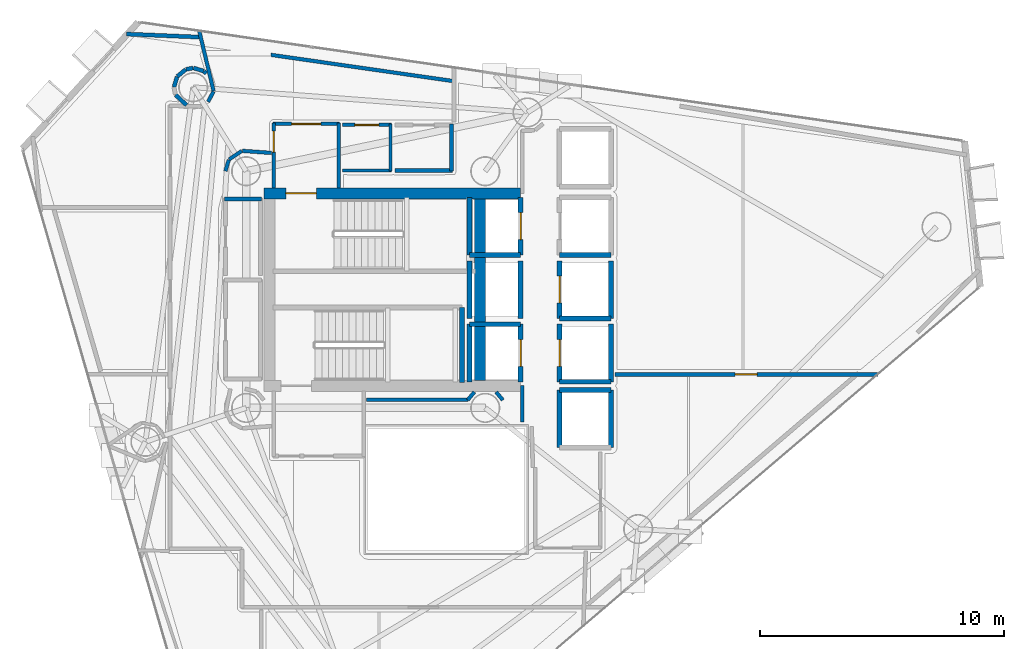
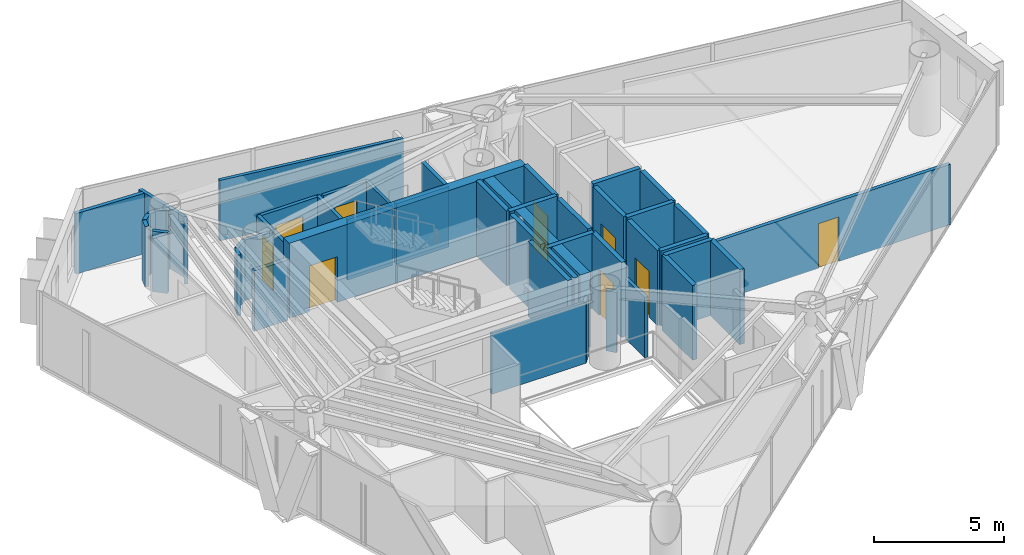
# One storey, part 19 of 23: 48 walls, 9 doors, 9 openings.
"""IFC4 building model written with IfcOpenShell, lengths in metres."""

from ifc_helpers import new_model, si_unit, direction, frame, frame_2d, origin, place, context, subcontext, project, spatial, rectangle, extrude, material, layer, layer_set, type_object, element, fill, save


model = new_model("IFC4")

# Units and contexts
model_context = context("Model", 3, precision=1e-05, world=origin(), true_north=direction((0.0, 1.0)))
body_context = subcontext(model_context, "Body", "Model", "MODEL_VIEW")
ifc_project = project(units=[si_unit("LENGTHUNIT", "METRE"), si_unit("AREAUNIT", "SQUARE_METRE"), si_unit("VOLUMEUNIT", "CUBIC_METRE"), si_unit("PLANEANGLEUNIT", "RADIAN"), si_unit("MASSUNIT", "GRAM", prefix="KILO")], contexts=[model_context])

# Site, building, storey
site_placement = place(None, origin())
site = spatial("IfcSite", under=ifc_project, at=site_placement, CompositionType="ELEMENT")
building_placement = place(site_placement, origin())
building = spatial("IfcBuilding", under=site, at=building_placement, Name="Qianvela Tower", CompositionType="ELEMENT")
storey_placement = place(building_placement, frame((0.0, 0.0, 215.10009765625)))
storey = spatial("IfcBuildingStorey", under=building, at=storey_placement, Name="L55", CompositionType="ELEMENT", Elevation=215.10009765625)

# Wall, opening, door
ifc_material_1 = material(Name="Concrete C50", Category="concrete")
ifc_layer_1 = layer(ifc_material_1, 0.449951171875)
ifc_layer_set_1 = layer_set([ifc_layer_1], Name="Concrete C50")
wall_type_1 = type_object("IfcWallType", Name="WT-CORE-450", PredefinedType="SHEAR", material=ifc_layer_set_1)
wall_1_placement = place(storey_placement, frame((29.330078125, 32.64501953125, 0.0), z_axis=(0.0, 0.0, 1.0), x_axis=(1.0, 0.0, 0.0)))
wall_1 = element("IfcWall", 1, at=wall_1_placement, inside=storey, type_object=wall_type_1, Name="L55 North Core Shear Wall", PredefinedType="SHEAR", context=body_context, shape_type="SweptSolid", body=[
    extrude(rectangle(XDim=10.52001953125, YDim=0.449951171875, at=frame_2d((5.260009765625, 0.0))), origin(), (0.0, 0.0, 1.0), 3.52001953125),
])
opening_1_placement = place(wall_1_placement, frame((0.89501953125, 0.0, 0.0)))
opening_1 = element("IfcOpeningElement", 2, at=opening_1_placement, cuts=wall_1, Name="Opening D-ST1", PredefinedType="OPENING", context=body_context, shape_type="SweptSolid", body=[
    extrude(rectangle(XDim=1.25, YDim=2.14990234375, at=frame_2d((0.625, 1.074951171875))), frame((0.0, 0.23486328125, 0.0), z_axis=(0.0, -1.0, 0.0), x_axis=(1.0, 0.0, 0.0)), (0.0, 0.0, 1.0), 0.469970703125),
])
ifc_material_2 = material(Name="Galvanised Fire Steel Q355B", Category="steel")
door_type_1 = type_object("IfcDoorType", Name="DT-STAIR-FD90", OperationType="NOTDEFINED", PredefinedType="DOOR", material=ifc_material_2)
door_1_placement = place(opening_1_placement, origin())
door_1 = element("IfcDoor", 3, at=door_1_placement, inside=storey, type_object=door_type_1, Name="L55 Stair ST-1 Exit Door", OperationType="SINGLE_SWING_RIGHT", OverallHeight=2.14990234375, OverallWidth=1.25, PredefinedType="DOOR", context=body_context, shape_type="SweptSolid", body=[
    extrude(rectangle(XDim=1.25, YDim=2.14990234375, at=frame_2d((0.625, 1.074951171875))), frame((0.0, 0.02490234375, 0.0), z_axis=(0.0, -1.0, 0.0), x_axis=(1.0, 0.0, 0.0)), (0.0, 0.0, 1.0), 0.050048828125),
])
fill(opening_1, door_1)

# Wall
wall_2_placement = place(storey_placement, frame((38.179931640625, 24.97998046875, 0.0), z_axis=(0.0, 0.0, 1.0), x_axis=(0.0, 1.0, 0.0)))
element("IfcWall", 4, at=wall_2_placement, inside=storey, type_object=wall_type_1, Name="L55 East Spine Core Shear Wall", PredefinedType="SHEAR", context=body_context, shape_type="SweptSolid", body=[
    extrude(rectangle(XDim=7.43994140625, YDim=0.449951171875, at=frame_2d((3.719970703125, 0.0))), origin(), (0.0, 0.0, 1.0), 3.52001953125),
])

# Wall, opening, door
ifc_material_3 = material(Name="Fire-Rated Acoustic Gypsum Board")
ifc_layer_2 = layer(ifc_material_3, 0.14990234375)
ifc_layer_set_2 = layer_set([ifc_layer_2], Name="Fire-Rated Acoustic Gypsum Board")
wall_type_2 = type_object("IfcWallType", Name="WT-CORR-150", PredefinedType="PARTITIONING", material=ifc_layer_set_2)
wall_3_placement = place(storey_placement, frame((29.73095703125, 32.85791015625, 0.0), z_axis=(0.0, 0.0, 1.0), x_axis=(0.0, 1.0, 0.0)))
wall_3 = element("IfcWall", 5, at=wall_3_placement, inside=storey, type_object=wall_type_2, Name="L55 Partition 2", PredefinedType="PARTITIONING", context=body_context, shape_type="SweptSolid", body=[
    extrude(rectangle(XDim=2.662109375, YDim=0.14990234375, at=frame_2d((1.3310546875, 0.0))), origin(), (0.0, 0.0, 1.0), 2.83984375),
])
opening_2_placement = place(wall_3_placement, frame((1.478271484375, 0.0, 0.0)))
opening_2 = element("IfcOpeningElement", 6, at=opening_2_placement, cuts=wall_3, Name="Opening D-LB2", PredefinedType="OPENING", context=body_context, shape_type="SweptSolid", body=[
    extrude(rectangle(XDim=0.860107421875, YDim=2.050048828125, at=frame_2d((0.43017578125, 1.02490234375))), frame((0.0, 0.0849609375, 0.0), z_axis=(0.0, -1.0, 0.0), x_axis=(1.0, 0.0, 0.0)), (0.0, 0.0, 1.0), 0.169921875),
])
ifc_material_4 = material(Name="Insulated Steel Fire Door Q355B", Category="steel")
door_type_2 = type_object("IfcDoorType", Name="DT-LOBBY-FD90-860", OperationType="NOTDEFINED", PredefinedType="DOOR", material=ifc_material_4)
door_2_placement = place(opening_2_placement, origin())
door_2 = element("IfcDoor", 7, at=door_2_placement, inside=storey, type_object=door_type_2, Name="L55 Door L55 Firefighting Lobby North to L55 Floor Corridor", OperationType="SINGLE_SWING_LEFT", OverallHeight=2.050048828125, OverallWidth=0.860107421875, PredefinedType="DOOR", context=body_context, shape_type="SweptSolid", body=[
    extrude(rectangle(XDim=0.860107421875, YDim=2.050048828125, at=frame_2d((0.43017578125, 1.02490234375))), frame((0.0, 0.02490234375, 0.0), z_axis=(0.0, -1.0, 0.0), x_axis=(1.0, 0.0, 0.0)), (0.0, 0.0, 1.0), 0.050048828125),
])
fill(opening_2, door_2)

wall_4_placement = place(storey_placement, frame((29.699951171875, 35.489013671875, 0.0), z_axis=(0.0, 0.0, 1.0), x_axis=(1.0, 0.0, 0.0)))
wall_4 = element("IfcWall", 8, at=wall_4_placement, inside=storey, type_object=wall_type_2, Name="L55 Partition 3", PredefinedType="PARTITIONING", context=body_context, shape_type="SweptSolid", body=[
    extrude(rectangle(XDim=2.719970703125, YDim=0.14990234375, at=frame_2d((1.35986328125, 0.0))), origin(), (0.0, 0.0, 1.0), 2.83984375),
])
opening_3_placement = place(wall_4_placement, frame((0.760009765625, 0.0, 0.0)))
opening_3 = element("IfcOpeningElement", 9, at=opening_3_placement, cuts=wall_4, Name="Opening D-LB1", PredefinedType="OPENING", context=body_context, shape_type="SweptSolid", body=[
    extrude(rectangle(XDim=1.199951171875, YDim=2.14990234375, at=frame_2d((0.60009765625, 1.074951171875))), frame((0.0, 0.0849609375, 0.0), z_axis=(0.0, -1.0, 0.0), x_axis=(1.0, 0.0, 0.0)), (0.0, 0.0, 1.0), 0.169921875),
])
ifc_material_5 = material(Name="Glazed Fire-Rated Steel Frame", Category="steel")
door_type_3 = type_object("IfcDoorType", Name="DT-LOBBY-FD90", OperationType="NOTDEFINED", PredefinedType="DOOR", material=ifc_material_5)
door_3_placement = place(opening_3_placement, origin())
door_3 = element("IfcDoor", 10, at=door_3_placement, inside=storey, type_object=door_type_3, Name="L55 Door L55 Firefighting Lobby North to L55 Floor Corridor", OperationType="SINGLE_SWING_LEFT", OverallHeight=2.14990234375, OverallWidth=1.199951171875, PredefinedType="DOOR", context=body_context, shape_type="SweptSolid", body=[
    extrude(rectangle(XDim=1.199951171875, YDim=2.14990234375, at=frame_2d((0.60009765625, 1.074951171875))), frame((0.0, 0.02490234375, 0.0), z_axis=(0.0, -1.0, 0.0), x_axis=(1.0, 0.0, 0.0)), (0.0, 0.0, 1.0), 0.050048828125),
])
fill(opening_3, door_3)

# Walls
wall_5_placement = place(storey_placement, frame((32.388916015625, 35.52001953125, 0.0), z_axis=(0.0, 0.0, 1.0), x_axis=(0.0, -1.0, 0.0)))
element("IfcWall", 11, at=wall_5_placement, inside=storey, type_object=wall_type_2, Name="L55 Partition 4", PredefinedType="PARTITIONING", context=body_context, shape_type="SweptSolid", body=[
    extrude(rectangle(XDim=2.662109375, YDim=0.14990234375, at=frame_2d((1.3310546875, 0.0))), origin(), (0.0, 0.0, 1.0), 2.83984375),
])
wall_6_placement = place(storey_placement, frame((39.910888671875, 23.280029296875, 0.0), z_axis=(0.0, 0.0, 1.0), x_axis=(0.0, 1.0, 0.0)))
element("IfcWall", 12, at=wall_6_placement, inside=storey, type_object=wall_type_2, Name="L55 Partition 10", PredefinedType="PARTITIONING", context=body_context, shape_type="SweptSolid", body=[
    extrude(rectangle(XDim=1.47998046875, YDim=0.14990234375, at=frame_2d((0.739990234375, 0.0))), origin(), (0.0, 0.0, 1.0), 2.83984375),
])
for number, where, z_axis, x_axis, name in (
    (13, (39.12109375, 24.169921875, 0.0), (0.0, 0.0, 1.0), (-0.638008265708, 0.770029514296, 0.0), "L55 Partition 49"),
    (14, (37.953857421875, 24.501708984375, 0.0), (0.0, 0.0, 1.0), (-0.638008265708, -0.770029514296, 0.0), "L55 Partition 52"),
):
    element("IfcWall", number, at=place(storey_placement, frame(where, z_axis=z_axis, x_axis=x_axis)), inside=storey, type_object=wall_type_2, Name=name, PredefinedType="PARTITIONING", context=body_context, shape_type="SweptSolid", body=[
        extrude(rectangle(XDim=0.430908203125, YDim=0.14990234375, at=frame_2d((0.21533203125, 0.0))), origin(), (0.0, 0.0, 1.0), 2.83984375),
    ])
wall_7_placement = place(storey_placement, frame((37.70263671875, 24.180908203125, 0.0), z_axis=(0.0, 0.0, 1.0), x_axis=(-1.0, 0.0, 0.0)))
element("IfcWall", 15, at=wall_7_placement, inside=storey, type_object=wall_type_2, Name="L55 Partition 53", PredefinedType="PARTITIONING", context=body_context, shape_type="SweptSolid", body=[
    extrude(rectangle(XDim=4.172607421875, YDim=0.14990234375, at=frame_2d((2.08642578125, 0.0))), origin(), (0.0, 0.0, 1.0), 2.83984375),
])
wall_8_placement = place(storey_placement, frame((27.265380859375, 36.839111328125, 0.0), z_axis=(0.0, 0.0, 1.0), x_axis=(-0.232746459293, 0.972537446933, 0.0)))
element("IfcWall", 16, at=wall_8_placement, inside=storey, type_object=wall_type_2, Name="L55 Partition 54", PredefinedType="PARTITIONING", context=body_context, shape_type="SweptSolid", body=[
    extrude(rectangle(XDim=2.550048828125, YDim=0.14990234375, at=frame_2d((1.27490234375, 0.0))), origin(), (0.0, 0.0, 1.0), 2.83984375),
])
wall_9_placement = place(storey_placement, frame((29.617919921875, 38.3193359375, 0.0), z_axis=(0.0, 0.0, 1.0), x_axis=(0.989794817401, -0.142499892792, 0.0)))
element("IfcWall", 17, at=wall_9_placement, inside=storey, type_object=wall_type_2, Name="L55 Partition 56", PredefinedType="PARTITIONING", context=body_context, shape_type="SweptSolid", body=[
    extrude(rectangle(XDim=7.605224609375, YDim=0.14990234375, at=frame_2d((3.802734375, 0.0))), origin(), (0.0, 0.0, 1.0), 2.83984375),
])
wall_10_placement = place(storey_placement, frame((29.64013671875, 34.298583984375, 0.0), z_axis=(0.0, 0.0, 1.0), x_axis=(-0.997392224386, 0.072171675429, 0.0)))
element("IfcWall", 18, at=wall_10_placement, inside=storey, type_object=wall_type_2, Name="L55 Partition 60", PredefinedType="PARTITIONING", context=body_context, shape_type="SweptSolid", body=[
    extrude(rectangle(XDim=1.200927734375, YDim=0.14990234375, at=frame_2d((0.6005859375, 0.0))), origin(), (0.0, 0.0, 1.0), 2.83984375),
])
wall_11_placement = place(storey_placement, frame((28.4228515625, 34.3798828125, 0.0), z_axis=(0.0, 0.0, 1.0), x_axis=(-0.831571279003, -0.555418047903, 0.0)))
element("IfcWall", 19, at=wall_11_placement, inside=storey, type_object=wall_type_2, Name="L55 Partition 61", PredefinedType="PARTITIONING", context=body_context, shape_type="SweptSolid", body=[
    extrude(rectangle(XDim=0.627685546875, YDim=0.14990234375, at=frame_2d((0.31396484375, 0.0))), origin(), (0.0, 0.0, 1.0), 2.83984375),
])
for number, where, z_axis, x_axis, name in (
    (20, (27.888427734375, 34.0146484375, 0.0), (0.0, 0.0, 1.0), (-0.290263585829, -0.956946733492, 0.0), "L55 Partition 62"),
    (21, (27.0380859375, 36.397705078125, 0.0), (0.0, 0.0, 1.0), (0.471865548338, 0.881670519123, 0.0), "L55 Partition 79"),
):
    element("IfcWall", number, at=place(storey_placement, frame(where, z_axis=z_axis, x_axis=x_axis)), inside=storey, type_object=wall_type_2, Name=name, PredefinedType="PARTITIONING", context=body_context, shape_type="SweptSolid", body=[
        extrude(rectangle(XDim=0.47607421875, YDim=0.14990234375, at=frame_2d((0.238037109375, 0.0))), origin(), (0.0, 0.0, 1.0), 2.83984375),
    ])
ifc_material_6 = material(Name="Insulated Gypsum Stud Partition")
ifc_layer_3 = layer(ifc_material_6, 0.1201171875)
ifc_layer_set_3 = layer_set([ifc_layer_3], Name="Insulated Gypsum Stud Partition")
wall_type_3 = type_object("IfcWallType", Name="WT-PART-120", PredefinedType="PARTITIONING", material=ifc_layer_set_3)
wall_12_placement = place(storey_placement, frame((34.550048828125, 33.5810546875, 0.0), z_axis=(0.0, 0.0, 1.0), x_axis=(-1.0, 0.0, 0.0)))
element("IfcWall", 22, at=wall_12_placement, inside=storey, type_object=wall_type_3, Name="L55 Partition 20", PredefinedType="PARTITIONING", context=body_context, shape_type="SweptSolid", body=[
    extrude(rectangle(XDim=2.0, YDim=0.1201171875, at=frame_2d((1.0, 0.0))), origin(), (0.0, 0.0, 1.0), 2.83984375),
])
wall_13_placement = place(storey_placement, frame((34.51904296875, 35.47998046875, 0.0), z_axis=(0.0, 0.0, 1.0), x_axis=(0.0, -1.0, 0.0)))
element("IfcWall", 23, at=wall_13_placement, inside=storey, type_object=wall_type_3, Name="L55 Partition 23", PredefinedType="PARTITIONING", context=body_context, shape_type="SweptSolid", body=[
    extrude(rectangle(XDim=1.929931640625, YDim=0.1201171875, at=frame_2d((0.96484375, 0.0))), origin(), (0.0, 0.0, 1.0), 2.83984375),
])
ifc_material_7 = material(Name="Sanitary Service Chase Partition")
ifc_layer_4 = layer(ifc_material_7, 0.1650390625)
ifc_layer_set_4 = layer_set([ifc_layer_4], Name="Sanitary Service Chase Partition")
wall_type_4 = type_object("IfcWallType", Name="WT-PLUMB-165", PredefinedType="PLUMBINGWALL", material=ifc_layer_set_4)
wall_14_placement = place(storey_placement, frame((37.050048828125, 33.5810546875, 0.0), z_axis=(0.0, 0.0, 1.0), x_axis=(-1.0, 0.0, 0.0)))
element("IfcWall", 24, at=wall_14_placement, inside=storey, type_object=wall_type_4, Name="L55 Partition 24", PredefinedType="PLUMBINGWALL", context=body_context, shape_type="SweptSolid", body=[
    extrude(rectangle(XDim=2.35009765625, YDim=0.1650390625, at=frame_2d((1.175048828125, 0.0))), origin(), (0.0, 0.0, 1.0), 2.83984375),
])
wall_15_placement = place(storey_placement, frame((37.01904296875, 35.47998046875, 0.0), z_axis=(0.0, 0.0, 1.0), x_axis=(0.0, -1.0, 0.0)))
element("IfcWall", 25, at=wall_15_placement, inside=storey, type_object=wall_type_4, Name="L55 Partition 27", PredefinedType="PLUMBINGWALL", context=body_context, shape_type="SweptSolid", body=[
    extrude(rectangle(XDim=1.929931640625, YDim=0.1650390625, at=frame_2d((0.96484375, 0.0))), origin(), (0.0, 0.0, 1.0), 2.83984375),
])
wall_16_placement = place(storey_placement, frame((27.719970703125, 32.4189453125, 0.0), z_axis=(0.0, 0.0, 1.0), x_axis=(1.0, 0.0, 0.0)))
element("IfcWall", 26, at=wall_16_placement, inside=storey, type_object=wall_type_4, Name="L55 Partition 33", PredefinedType="PLUMBINGWALL", context=body_context, shape_type="SweptSolid", body=[
    extrude(rectangle(XDim=1.5, YDim=0.1650390625, at=frame_2d((0.75, 0.0))), origin(), (0.0, 0.0, 1.0), 2.83984375),
])

# Wall, opening, door
wall_17_placement = place(storey_placement, frame((43.719970703125, 25.22705078125, 0.0), z_axis=(0.0, 0.0, 1.0), x_axis=(1.0, 0.0, 0.0)))
wall_17 = element("IfcWall", 27, at=wall_17_placement, inside=storey, type_object=wall_type_4, Name="L55 Partition 104", PredefinedType="PLUMBINGWALL", context=body_context, shape_type="SweptSolid", body=[
    extrude(rectangle(XDim=10.78466796875, YDim=0.1650390625, at=frame_2d((5.392333984375, 0.0))), origin(), (0.0, 0.0, 1.0), 2.83984375),
])
opening_4_placement = place(wall_17_placement, frame((4.924560546875, 0.0, 0.0)))
opening_4 = element("IfcOpeningElement", 28, at=opening_4_placement, cuts=wall_17, Name="Opening D-KT1", PredefinedType="OPENING", context=body_context, shape_type="SweptSolid", body=[
    extrude(rectangle(XDim=0.89990234375, YDim=2.10009765625, at=frame_2d((0.449951171875, 1.050048828125))), frame((0.0, 0.092529296875, 0.0), z_axis=(0.0, -1.0, 0.0), x_axis=(1.0, 0.0, 0.0)), (0.0, 0.0, 1.0), 0.18505859375),
])
ifc_material_8 = material(Name="Glazed Timber Kitchen Door", Category="wood")
door_type_4 = type_object("IfcDoorType", Name="DT-KITCH-900", OperationType="NOTDEFINED", PredefinedType="DOOR", material=ifc_material_8)
door_4_placement = place(opening_4_placement, origin())
door_4 = element("IfcDoor", 29, at=door_4_placement, inside=storey, type_object=door_type_4, Name="L55 Door Student Tea Pantry L55-06 to Floor Dining Kitchen L55-03", OperationType="SINGLE_SWING_LEFT", OverallHeight=2.10009765625, OverallWidth=0.89990234375, PredefinedType="DOOR", context=body_context, shape_type="SweptSolid", body=[
    extrude(rectangle(XDim=0.89990234375, YDim=2.10009765625, at=frame_2d((0.449951171875, 1.050048828125))), frame((0.0, 0.02490234375, 0.0), z_axis=(0.0, -1.0, 0.0), x_axis=(1.0, 0.0, 0.0)), (0.0, 0.0, 1.0), 0.050048828125),
])
fill(opening_4, door_4)

# Walls
wall_18_placement = place(storey_placement, frame((26.9580078125, 37.556396484375, 0.0), z_axis=(0.0, 0.0, 1.0), x_axis=(-0.679287079355, 0.733872648231, 0.0)))
element("IfcWall", 30, at=wall_18_placement, inside=storey, type_object=wall_type_4, Name="L55 Partition 109", PredefinedType="PLUMBINGWALL", context=body_context, shape_type="SweptSolid", body=[
    extrude(rectangle(XDim=0.120849609375, YDim=0.1650390625, at=frame_2d((0.060546875, 0.0))), origin(), (0.0, 0.0, 1.0), 2.83984375),
])
wall_19_placement = place(storey_placement, frame((26.8623046875, 37.653564453125, 0.0), z_axis=(0.0, 0.0, 1.0), x_axis=(-0.9569080268, 0.290391164202, 0.0)))
element("IfcWall", 31, at=wall_19_placement, inside=storey, type_object=wall_type_4, Name="L55 Partition 110", PredefinedType="PLUMBINGWALL", context=body_context, shape_type="SweptSolid", body=[
    extrude(rectangle(XDim=0.44140625, YDim=0.1650390625, at=frame_2d((0.220703125, 0.0))), origin(), (0.0, 0.0, 1.0), 2.83984375),
])
wall_20_placement = place(storey_placement, frame((26.425048828125, 37.782470703125, 0.0), z_axis=(0.0, 0.0, 1.0), x_axis=(-0.980801578599, -0.195008367557, 0.0)))
element("IfcWall", 32, at=wall_20_placement, inside=storey, type_object=wall_type_4, Name="L55 Partition 111", PredefinedType="PLUMBINGWALL", context=body_context, shape_type="SweptSolid", body=[
    extrude(rectangle(XDim=0.296630859375, YDim=0.1650390625, at=frame_2d((0.1484375, 0.0))), origin(), (0.0, 0.0, 1.0), 2.83984375),
])
wall_21_placement = place(storey_placement, frame((26.12060546875, 37.718017578125, 0.0), z_axis=(0.0, 0.0, 1.0), x_axis=(-0.773365427174, -0.633960500387, 0.0)))
element("IfcWall", 33, at=wall_21_placement, inside=storey, type_object=wall_type_4, Name="L55 Partition 112", PredefinedType="PLUMBINGWALL", context=body_context, shape_type="SweptSolid", body=[
    extrude(rectangle(XDim=0.44140625, YDim=0.1650390625, at=frame_2d((0.220703125, 0.0))), origin(), (0.0, 0.0, 1.0), 2.83984375),
])
wall_22_placement = place(storey_placement, frame((25.769287109375, 37.423095703125, 0.0), z_axis=(0.0, 0.0, 1.0), x_axis=(-0.290038119708, -0.957015093463, 0.0)))
element("IfcWall", 34, at=wall_22_placement, inside=storey, type_object=wall_type_4, Name="L55 Partition 113", PredefinedType="PLUMBINGWALL", context=body_context, shape_type="SweptSolid", body=[
    extrude(rectangle(XDim=0.441162109375, YDim=0.1650390625, at=frame_2d((0.220703125, 0.0))), origin(), (0.0, 0.0, 1.0), 2.83984375),
])
wall_23_placement = place(storey_placement, frame((25.707763671875, 36.678466796875, 0.0), z_axis=(0.0, 0.0, 1.0), x_axis=(0.730846282416, -0.682542095023, 0.0)))
element("IfcWall", 35, at=wall_23_placement, inside=storey, type_object=wall_type_4, Name="L55 Partition 115", PredefinedType="PLUMBINGWALL", context=body_context, shape_type="SweptSolid", body=[
    extrude(rectangle(XDim=0.62158203125, YDim=0.1650390625, at=frame_2d((0.310791015625, 0.0))), origin(), (0.0, 0.0, 1.0), 2.83984375),
])
wall_24_placement = place(storey_placement, frame((23.70068359375, 39.171142578125, 0.0), z_axis=(0.0, 0.0, 1.0), x_axis=(0.999133486017, -0.041620633331, 0.0)))
element("IfcWall", 36, at=wall_24_placement, inside=storey, type_object=wall_type_4, Name="L55 Partition 120 seg 1", PredefinedType="PLUMBINGWALL", context=body_context, shape_type="SweptSolid", body=[
    extrude(rectangle(XDim=3.07373046875, YDim=0.1650390625, at=frame_2d((1.536865234375, 0.0))), origin(), (0.0, 0.0, 1.0), 2.83984375),
])

# Wall, opening, door
ifc_material_9 = material(Name="Acoustic Double Gypsum Stud Partition")
ifc_layer_5 = layer(ifc_material_9, 0.139892578125)
ifc_layer_set_5 = layer_set([ifc_layer_5], Name="Acoustic Double Gypsum Stud Partition")
wall_type_5 = type_object("IfcWallType", Name="WT-ROOM-140", PredefinedType="PARTITIONING", material=ifc_layer_set_5)
wall_25_placement = place(storey_placement, frame((32.550048828125, 35.448974609375, 0.0), z_axis=(0.0, 0.0, 1.0), x_axis=(1.0, 0.0, 0.0)))
wall_25 = element("IfcWall", 37, at=wall_25_placement, inside=storey, type_object=wall_type_5, Name="L55 Partition 22", PredefinedType="PARTITIONING", context=body_context, shape_type="SweptSolid", body=[
    extrude(rectangle(XDim=2.0, YDim=0.139892578125, at=frame_2d((1.0, 0.0))), origin(), (0.0, 0.0, 1.0), 2.83984375),
])
opening_5_placement = place(wall_25_placement, frame((0.510009765625, 0.0, 0.0)))
opening_5 = element("IfcOpeningElement", 38, at=opening_5_placement, cuts=wall_25, Name="Opening D-RM1", PredefinedType="OPENING", context=body_context, shape_type="SweptSolid", body=[
    extrude(rectangle(XDim=0.97998046875, YDim=2.10009765625, at=frame_2d((0.489990234375, 1.050048828125))), frame((0.0, 0.079833984375, 0.0), z_axis=(0.0, -1.0, 0.0), x_axis=(1.0, 0.0, 0.0)), (0.0, 0.0, 1.0), 0.159912109375),
])
ifc_material_10 = material(Name="Solid Core Acoustic Timber Fire Door", Category="wood")
door_type_5 = type_object("IfcDoorType", Name="DT-ROOM-FD60", OperationType="NOTDEFINED", PredefinedType="DOOR", material=ifc_material_10)
door_5_placement = place(opening_5_placement, origin())
door_5 = element("IfcDoor", 39, at=door_5_placement, inside=storey, type_object=door_type_5, Name="L55 Door L55 Cleaner Store to L55 Floor Corridor", OperationType="SINGLE_SWING_RIGHT", OverallHeight=2.10009765625, OverallWidth=0.97998046875, PredefinedType="DOOR", context=body_context, shape_type="SweptSolid", body=[
    extrude(rectangle(XDim=0.97998046875, YDim=2.10009765625, at=frame_2d((0.489990234375, 1.050048828125))), frame((0.0, 0.02490234375, 0.0), z_axis=(0.0, -1.0, 0.0), x_axis=(1.0, 0.0, 0.0)), (0.0, 0.0, 1.0), 0.050048828125),
])
fill(opening_5, door_5)

# Wall
ifc_material_11 = material(Name="Concrete C50", Category="concrete")
ifc_layer_6 = layer(ifc_material_11, 0.199951171875)
ifc_layer_set_6 = layer_set([ifc_layer_6], Name="Concrete C50")
wall_type_6 = type_object("IfcWallType", Name="WT-SHAFT-200", PredefinedType="SOLIDWALL", material=ifc_layer_set_6)
wall_26_placement = place(storey_placement, frame((37.449951171875, 24.89990234375, 0.0), z_axis=(0.0, 0.0, 1.0), x_axis=(0.0, 1.0, 0.0)))
element("IfcWall", 40, at=wall_26_placement, inside=storey, type_object=wall_type_6, Name="L55 Stair ST-2 East Wall", PredefinedType="SOLIDWALL", context=body_context, shape_type="SweptSolid", body=[
    extrude(rectangle(XDim=3.06005859375, YDim=0.199951171875, at=frame_2d((1.530029296875, 0.0))), origin(), (0.0, 0.0, 1.0), 3.52001953125),
])

# Wall, opening, door
wall_27_placement = place(storey_placement, frame((39.85009765625, 30.1201171875, 0.0), z_axis=(0.0, 0.0, 1.0), x_axis=(0.0, 1.0, 0.0)))
wall_27 = element("IfcWall", 41, at=wall_27_placement, inside=storey, type_object=wall_type_6, Name="L55 Lift FL-1 E Shaft Wall", PredefinedType="SOLIDWALL", context=body_context, shape_type="SweptSolid", body=[
    extrude(rectangle(XDim=2.35986328125, YDim=0.199951171875, at=frame_2d((1.179931640625, 0.0))), origin(), (0.0, 0.0, 1.0), 3.52001953125),
])
opening_6_placement = place(wall_27_placement, frame((0.6298828125, 0.0, 0.0)))
opening_6 = element("IfcOpeningElement", 42, at=opening_6_placement, cuts=wall_27, Name="Opening LD-01", PredefinedType="OPENING", context=body_context, shape_type="SweptSolid", body=[
    extrude(rectangle(XDim=1.10009765625, YDim=2.14990234375, at=frame_2d((0.550048828125, 1.074951171875))), frame((0.0, 0.10986328125, 0.0), z_axis=(0.0, -1.0, 0.0), x_axis=(1.0, 0.0, 0.0)), (0.0, 0.0, 1.0), 0.219970703125),
])
ifc_material_12 = material(Name="Brushed Stainless Steel Lift Landing Door", Category="steel")
door_type_6 = type_object("IfcDoorType", Name="DT-LIFT-SLIDE-1100", OperationType="SLIDING_TO_LEFT", PredefinedType="DOOR", material=ifc_material_12)
door_6_placement = place(opening_6_placement, origin())
door_6 = element("IfcDoor", 43, at=door_6_placement, inside=storey, type_object=door_type_6, Name="L55 Lift FL-1 Sliding Landing Door", OperationType="SLIDING_TO_LEFT", OverallHeight=2.14990234375, OverallWidth=1.10009765625, PredefinedType="DOOR", context=body_context, shape_type="SweptSolid", body=[
    extrude(rectangle(XDim=1.10009765625, YDim=2.14990234375, at=frame_2d((0.550048828125, 1.074951171875))), frame((0.0, 0.02490234375, 0.0), z_axis=(0.0, -1.0, 0.0), x_axis=(1.0, 0.0, 0.0)), (0.0, 0.0, 1.0), 0.050048828125),
])
fill(opening_6, door_6)

# Walls
wall_28_placement = place(storey_placement, frame((37.75, 30.1201171875, 0.0), z_axis=(0.0, 0.0, 1.0), x_axis=(0.0, 1.0, 0.0)))
element("IfcWall", 44, at=wall_28_placement, inside=storey, type_object=wall_type_6, Name="L55 Lift FL-1 W Shaft Wall", PredefinedType="SOLIDWALL", context=body_context, shape_type="SweptSolid", body=[
    extrude(rectangle(XDim=2.35986328125, YDim=0.199951171875, at=frame_2d((1.179931640625, 0.0))), origin(), (0.0, 0.0, 1.0), 3.52001953125),
])
wall_29_placement = place(storey_placement, frame((37.75, 30.1201171875, 0.0), z_axis=(0.0, 0.0, 1.0), x_axis=(1.0, 0.0, 0.0)))
element("IfcWall", 45, at=wall_29_placement, inside=storey, type_object=wall_type_6, Name="L55 Lift FL-1 S Shaft Wall", PredefinedType="SOLIDWALL", context=body_context, shape_type="SweptSolid", body=[
    extrude(rectangle(XDim=2.10009765625, YDim=0.199951171875, at=frame_2d((1.050048828125, 0.0))), origin(), (0.0, 0.0, 1.0), 3.52001953125),
])

# Wall, opening, door
wall_30_placement = place(storey_placement, frame((39.85009765625, 24.919921875, 0.0), z_axis=(0.0, 0.0, 1.0), x_axis=(0.0, 1.0, 0.0)))
wall_30 = element("IfcWall", 46, at=wall_30_placement, inside=storey, type_object=wall_type_6, Name="L55 Lift FL-2 E Shaft Wall", PredefinedType="SOLIDWALL", context=body_context, shape_type="SweptSolid", body=[
    extrude(rectangle(XDim=2.360107421875, YDim=0.199951171875, at=frame_2d((1.18017578125, 0.0))), origin(), (0.0, 0.0, 1.0), 3.52001953125),
])
opening_7_placement = place(wall_30_placement, frame((0.6298828125, 0.0, 0.0)))
opening_7 = element("IfcOpeningElement", 47, at=opening_7_placement, cuts=wall_30, Name="Opening LD-01", PredefinedType="OPENING", context=body_context, shape_type="SweptSolid", body=[
    extrude(rectangle(XDim=1.10009765625, YDim=2.14990234375, at=frame_2d((0.550048828125, 1.074951171875))), frame((0.0, 0.10986328125, 0.0), z_axis=(0.0, -1.0, 0.0), x_axis=(1.0, 0.0, 0.0)), (0.0, 0.0, 1.0), 0.219970703125),
])
door_7_placement = place(opening_7_placement, origin())
door_7 = element("IfcDoor", 48, at=door_7_placement, inside=storey, type_object=door_type_6, Name="L55 Lift FL-2 Sliding Landing Door", OperationType="SLIDING_TO_LEFT", OverallHeight=2.14990234375, OverallWidth=1.10009765625, PredefinedType="DOOR", context=body_context, shape_type="SweptSolid", body=[
    extrude(rectangle(XDim=1.10009765625, YDim=2.14990234375, at=frame_2d((0.550048828125, 1.074951171875))), frame((0.0, 0.02490234375, 0.0), z_axis=(0.0, -1.0, 0.0), x_axis=(1.0, 0.0, 0.0)), (0.0, 0.0, 1.0), 0.050048828125),
])
fill(opening_7, door_7)

# Walls
wall_31_placement = place(storey_placement, frame((37.75, 24.919921875, 0.0), z_axis=(0.0, 0.0, 1.0), x_axis=(0.0, 1.0, 0.0)))
element("IfcWall", 49, at=wall_31_placement, inside=storey, type_object=wall_type_6, Name="L55 Lift FL-2 W Shaft Wall", PredefinedType="SOLIDWALL", context=body_context, shape_type="SweptSolid", body=[
    extrude(rectangle(XDim=2.360107421875, YDim=0.199951171875, at=frame_2d((1.18017578125, 0.0))), origin(), (0.0, 0.0, 1.0), 3.52001953125),
])
for number, where, z_axis, x_axis, name in (
    (50, (37.75, 27.280029296875, 0.0), (0.0, 0.0, 1.0), (1.0, 0.0, 0.0), "L55 Lift FL-2 N Shaft Wall"),
    (51, (41.449951171875, 30.1201171875, 0.0), (0.0, 0.0, 1.0), (1.0, 0.0, 0.0), "L55 Lift PL-M1 S Shaft Wall"),
):
    element("IfcWall", number, at=place(storey_placement, frame(where, z_axis=z_axis, x_axis=x_axis)), inside=storey, type_object=wall_type_6, Name=name, PredefinedType="SOLIDWALL", context=body_context, shape_type="SweptSolid", body=[
        extrude(rectangle(XDim=2.10009765625, YDim=0.199951171875, at=frame_2d((1.050048828125, 0.0))), origin(), (0.0, 0.0, 1.0), 3.52001953125),
    ])
wall_32_placement = place(storey_placement, frame((43.550048828125, 27.52001953125, 0.0), z_axis=(0.0, 0.0, 1.0), x_axis=(0.0, 1.0, 0.0)))
element("IfcWall", 52, at=wall_32_placement, inside=storey, type_object=wall_type_6, Name="L55 Lift PL-M2 E Shaft Wall", PredefinedType="SOLIDWALL", context=body_context, shape_type="SweptSolid", body=[
    extrude(rectangle(XDim=2.35986328125, YDim=0.199951171875, at=frame_2d((1.179931640625, 0.0))), origin(), (0.0, 0.0, 1.0), 3.52001953125),
])

# Wall, opening, door
wall_33_placement = place(storey_placement, frame((41.449951171875, 27.52001953125, 0.0), z_axis=(0.0, 0.0, 1.0), x_axis=(0.0, 1.0, 0.0)))
wall_33 = element("IfcWall", 53, at=wall_33_placement, inside=storey, type_object=wall_type_6, Name="L55 Lift PL-M2 W Shaft Wall", PredefinedType="SOLIDWALL", context=body_context, shape_type="SweptSolid", body=[
    extrude(rectangle(XDim=2.35986328125, YDim=0.199951171875, at=frame_2d((1.179931640625, 0.0))), origin(), (0.0, 0.0, 1.0), 3.52001953125),
])
opening_8_placement = place(wall_33_placement, frame((0.6298828125, 0.0, 0.0)))
opening_8 = element("IfcOpeningElement", 54, at=opening_8_placement, cuts=wall_33, Name="Opening LD-01", PredefinedType="OPENING", context=body_context, shape_type="SweptSolid", body=[
    extrude(rectangle(XDim=1.10009765625, YDim=2.14990234375, at=frame_2d((0.550048828125, 1.074951171875))), frame((0.0, 0.10986328125, 0.0), z_axis=(0.0, -1.0, 0.0), x_axis=(1.0, 0.0, 0.0)), (0.0, 0.0, 1.0), 0.219970703125),
])
door_8_placement = place(opening_8_placement, origin())
door_8 = element("IfcDoor", 55, at=door_8_placement, inside=storey, type_object=door_type_6, Name="L55 Lift PL-M2 Sliding Landing Door", OperationType="SLIDING_TO_LEFT", OverallHeight=2.14990234375, OverallWidth=1.10009765625, PredefinedType="DOOR", context=body_context, shape_type="SweptSolid", body=[
    extrude(rectangle(XDim=1.10009765625, YDim=2.14990234375, at=frame_2d((0.550048828125, 1.074951171875))), frame((0.0, 0.02490234375, 0.0), z_axis=(0.0, -1.0, 0.0), x_axis=(1.0, 0.0, 0.0)), (0.0, 0.0, 1.0), 0.050048828125),
])
fill(opening_8, door_8)

# Walls
wall_34_placement = place(storey_placement, frame((41.449951171875, 27.52001953125, 0.0), z_axis=(0.0, 0.0, 1.0), x_axis=(1.0, 0.0, 0.0)))
element("IfcWall", 56, at=wall_34_placement, inside=storey, type_object=wall_type_6, Name="L55 Lift PL-M2 S Shaft Wall", PredefinedType="SOLIDWALL", context=body_context, shape_type="SweptSolid", body=[
    extrude(rectangle(XDim=2.10009765625, YDim=0.199951171875, at=frame_2d((1.050048828125, 0.0))), origin(), (0.0, 0.0, 1.0), 3.52001953125),
])
wall_35_placement = place(storey_placement, frame((43.550048828125, 24.919921875, 0.0), z_axis=(0.0, 0.0, 1.0), x_axis=(0.0, 1.0, 0.0)))
element("IfcWall", 57, at=wall_35_placement, inside=storey, type_object=wall_type_6, Name="L55 Lift PL-M3 E Shaft Wall", PredefinedType="SOLIDWALL", context=body_context, shape_type="SweptSolid", body=[
    extrude(rectangle(XDim=2.360107421875, YDim=0.199951171875, at=frame_2d((1.18017578125, 0.0))), origin(), (0.0, 0.0, 1.0), 3.52001953125),
])

# Wall, opening, door
wall_36_placement = place(storey_placement, frame((41.449951171875, 24.919921875, 0.0), z_axis=(0.0, 0.0, 1.0), x_axis=(0.0, 1.0, 0.0)))
wall_36 = element("IfcWall", 58, at=wall_36_placement, inside=storey, type_object=wall_type_6, Name="L55 Lift PL-M3 W Shaft Wall", PredefinedType="SOLIDWALL", context=body_context, shape_type="SweptSolid", body=[
    extrude(rectangle(XDim=2.360107421875, YDim=0.199951171875, at=frame_2d((1.18017578125, 0.0))), origin(), (0.0, 0.0, 1.0), 3.52001953125),
])
opening_9_placement = place(wall_36_placement, frame((0.6298828125, 0.0, 0.0)))
opening_9 = element("IfcOpeningElement", 59, at=opening_9_placement, cuts=wall_36, Name="Opening LD-01", PredefinedType="OPENING", context=body_context, shape_type="SweptSolid", body=[
    extrude(rectangle(XDim=1.10009765625, YDim=2.14990234375, at=frame_2d((0.550048828125, 1.074951171875))), frame((0.0, 0.10986328125, 0.0), z_axis=(0.0, -1.0, 0.0), x_axis=(1.0, 0.0, 0.0)), (0.0, 0.0, 1.0), 0.219970703125),
])
door_9_placement = place(opening_9_placement, origin())
door_9 = element("IfcDoor", 60, at=door_9_placement, inside=storey, type_object=door_type_6, Name="L55 Lift PL-M3 Sliding Landing Door", OperationType="SLIDING_TO_LEFT", OverallHeight=2.14990234375, OverallWidth=1.10009765625, PredefinedType="DOOR", context=body_context, shape_type="SweptSolid", body=[
    extrude(rectangle(XDim=1.10009765625, YDim=2.14990234375, at=frame_2d((0.550048828125, 1.074951171875))), frame((0.0, 0.02490234375, 0.0), z_axis=(0.0, -1.0, 0.0), x_axis=(1.0, 0.0, 0.0)), (0.0, 0.0, 1.0), 0.050048828125),
])
fill(opening_9, door_9)

# Walls
wall_37_placement = place(storey_placement, frame((41.449951171875, 24.919921875, 0.0), z_axis=(0.0, 0.0, 1.0), x_axis=(1.0, 0.0, 0.0)))
element("IfcWall", 61, at=wall_37_placement, inside=storey, type_object=wall_type_6, Name="L55 Lift PL-M3 S Shaft Wall", PredefinedType="SOLIDWALL", context=body_context, shape_type="SweptSolid", body=[
    extrude(rectangle(XDim=2.10009765625, YDim=0.199951171875, at=frame_2d((1.050048828125, 0.0))), origin(), (0.0, 0.0, 1.0), 3.52001953125),
])
for number, where, z_axis, x_axis, name in (
    (62, (39.85009765625, 27.52001953125, 0.0), (0.0, 0.0, 1.0), (0.0, 1.0, 0.0), "L55 Lift PL-H1 E Shaft Wall"),
    (63, (37.75, 27.52001953125, 0.0), (0.0, 0.0, 1.0), (0.0, 1.0, 0.0), "L55 Lift PL-H1 W Shaft Wall"),
):
    element("IfcWall", number, at=place(storey_placement, frame(where, z_axis=z_axis, x_axis=x_axis)), inside=storey, type_object=wall_type_6, Name=name, PredefinedType="SOLIDWALL", context=body_context, shape_type="SweptSolid", body=[
        extrude(rectangle(XDim=2.35986328125, YDim=0.199951171875, at=frame_2d((1.179931640625, 0.0))), origin(), (0.0, 0.0, 1.0), 3.52001953125),
    ])
for number, where, z_axis, x_axis, name in (
    (64, (43.550048828125, 22.219970703125, 0.0), (0.0, 0.0, 1.0), (0.0, 1.0, 0.0), "L55 Lift PL-H2 E Shaft Wall"),
    (65, (41.449951171875, 22.219970703125, 0.0), (0.0, 0.0, 1.0), (0.0, 1.0, 0.0), "L55 Lift PL-H2 W Shaft Wall"),
):
    element("IfcWall", number, at=place(storey_placement, frame(where, z_axis=z_axis, x_axis=x_axis)), inside=storey, type_object=wall_type_6, Name=name, PredefinedType="SOLIDWALL", context=body_context, shape_type="SweptSolid", body=[
        extrude(rectangle(XDim=2.360107421875, YDim=0.199951171875, at=frame_2d((1.18017578125, 0.0))), origin(), (0.0, 0.0, 1.0), 3.52001953125),
    ])
wall_38_placement = place(storey_placement, frame((41.449951171875, 24.580078125, 0.0), z_axis=(0.0, 0.0, 1.0), x_axis=(1.0, 0.0, 0.0)))
element("IfcWall", 66, at=wall_38_placement, inside=storey, type_object=wall_type_6, Name="L55 Lift PL-H2 N Shaft Wall", PredefinedType="SOLIDWALL", context=body_context, shape_type="SweptSolid", body=[
    extrude(rectangle(XDim=2.10009765625, YDim=0.199951171875, at=frame_2d((1.050048828125, 0.0))), origin(), (0.0, 0.0, 1.0), 3.52001953125),
])

save(model, "model.ifc")
